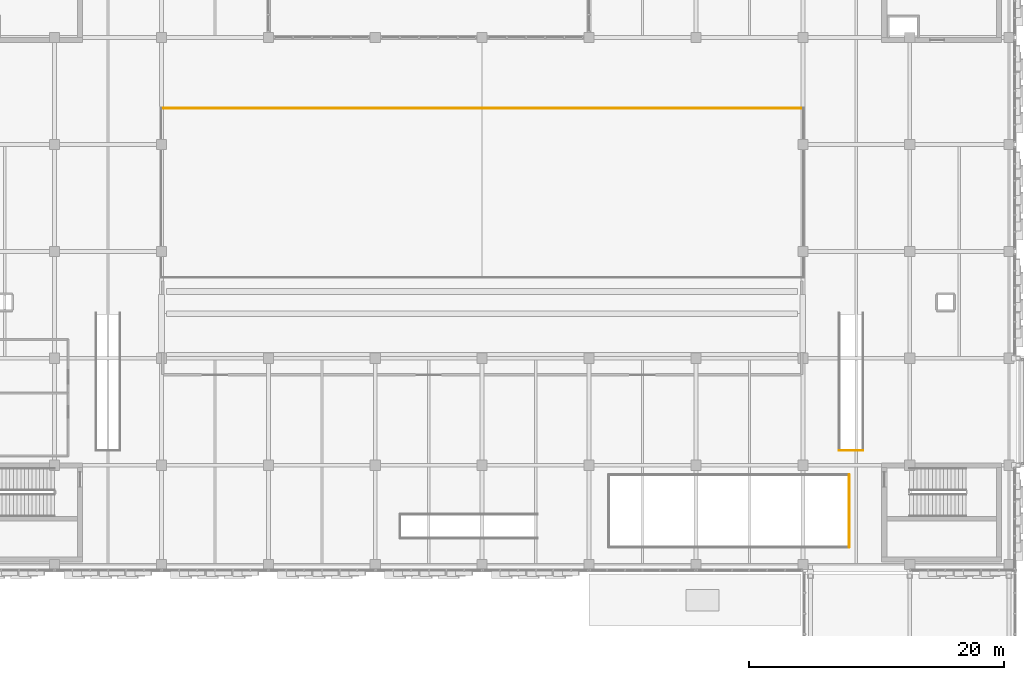
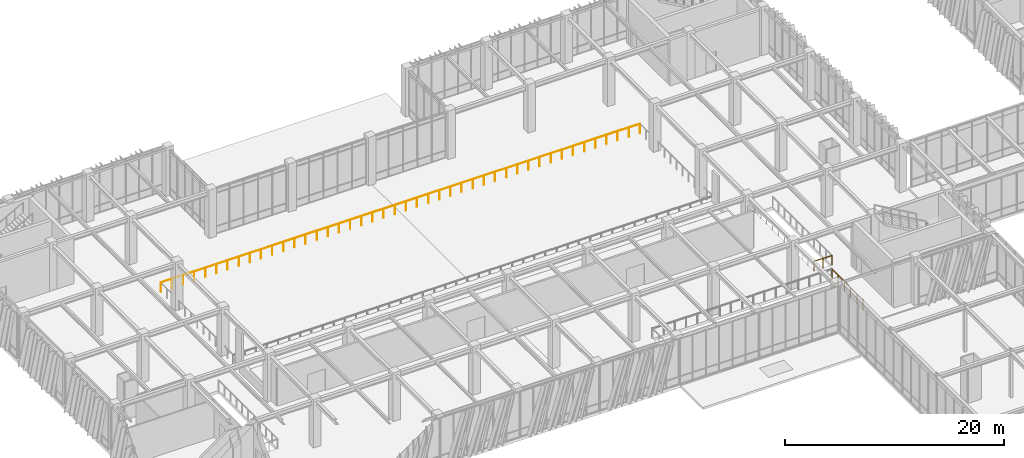
# One storey, part 131 of 139: 3 railings.
"""IFC4 building model written with IfcOpenShell, lengths in metres."""

from ifc_helpers import new_model, si_unit, direction, frame, origin, origin_2d, place, context, subcontext, project, spatial, circle, extrude, material, type_object, element, save


model = new_model("IFC4")

# Units and contexts
model_context = context("Model", 3, precision=1e-05, world=origin(), true_north=direction((0.0, 1.0)))
body_context = subcontext(model_context, "Body", "Model", "MODEL_VIEW")
ifc_project = project(units=[si_unit("LENGTHUNIT", "METRE"), si_unit("AREAUNIT", "SQUARE_METRE"), si_unit("VOLUMEUNIT", "CUBIC_METRE"), si_unit("PLANEANGLEUNIT", "RADIAN"), si_unit("MASSUNIT", "GRAM", prefix="KILO")], contexts=[model_context])

# Site, building, storey
site_placement = place(None, origin())
site = spatial("IfcSite", under=ifc_project, at=site_placement, CompositionType="ELEMENT")
building_placement = place(site_placement, origin())
building = spatial("IfcBuilding", under=site, at=building_placement, Name="Zayran Congress Hotel", CompositionType="ELEMENT")
storey_placement = place(building_placement, frame((0.0, 0.0, 5.39990234375)))
storey = spatial("IfcBuildingStorey", under=building, at=storey_placement, Name="L01", CompositionType="ELEMENT", Elevation=5.39990234375)

# Railings
ifc_material = material(Name="Painted steel balustrade", Category="steel")
railing_type = type_object("IfcRailingType", Name="TP-GRD-INT", PredefinedType="GUARDRAIL", material=ifc_material)
railing_1_placement = place(storey_placement, frame((78.4599609375, 77.14990234375, 0.0)))
element("IfcRailing", 1, at=railing_1_placement, inside=storey, type_object=railing_type, Name="GRD-VOMWELL-02-WB", PredefinedType="GUARDRAIL", context=body_context, shape_type="SweptSolid", body=[
    extrude(circle(Radius=0.02392578125, at=origin_2d()), frame((0.0, 0.0, 1.076171875), z_axis=(1.0, 0.0, 0.0), x_axis=(0.0, 1.0, 0.0)), (0.0, 0.0, 1.0), 1.880126953125),
    extrude(circle(Radius=0.02099609375, at=origin_2d()), origin(), (0.0, 0.0, 1.0), 1.052001953125),
    extrude(circle(Radius=0.02099609375, at=origin_2d()), frame((0.93994140625, 0.0, 0.0)), (0.0, 0.0, 1.0), 1.052001953125),
    extrude(circle(Radius=0.02099609375, at=origin_2d()), frame((1.880126953125, 0.0, 0.0)), (0.0, 0.0, 1.0), 1.052001953125),
])
railing_2_placement = place(storey_placement, frame((75.64990234375, 104.050048828125, 0.0)))
element("IfcRailing", 2, at=railing_2_placement, inside=storey, type_object=railing_type, Name="V1 L01 Interior Void Guardrail V1-L01-AUD-N", PredefinedType="GUARDRAIL", context=body_context, shape_type="SweptSolid", body=[
    extrude(circle(Radius=0.02392578125, at=origin_2d()), frame((0.0, 0.0, 1.076171875), z_axis=(-1.0, 0.0, 0.0), x_axis=(0.0, -1.0, 0.0)), (0.0, 0.0, 1.0), 50.5),
    extrude(circle(Radius=0.02099609375, at=origin_2d()), origin(), (0.0, 0.0, 1.0), 1.052001953125),
    extrude(circle(Radius=0.02099609375, at=origin_2d()), frame((-1.17431640625, 0.0, 0.0)), (0.0, 0.0, 1.0), 1.052001953125),
    extrude(circle(Radius=0.02099609375, at=origin_2d()), frame((-2.348876953125, 0.0, 0.0)), (0.0, 0.0, 1.0), 1.052001953125),
    extrude(circle(Radius=0.02099609375, at=origin_2d()), frame((-3.523193359375, 0.0, 0.0)), (0.0, 0.0, 1.0), 1.052001953125),
    extrude(circle(Radius=0.02099609375, at=origin_2d()), frame((-4.69775390625, 0.0, 0.0)), (0.0, 0.0, 1.0), 1.052001953125),
    extrude(circle(Radius=0.02099609375, at=origin_2d()), frame((-5.8720703125, 0.0, 0.0)), (0.0, 0.0, 1.0), 1.052001953125),
    extrude(circle(Radius=0.02099609375, at=origin_2d()), frame((-7.046630859375, 0.0, 0.0)), (0.0, 0.0, 1.0), 1.052001953125),
    extrude(circle(Radius=0.02099609375, at=origin_2d()), frame((-8.220947265625, 0.0, 0.0)), (0.0, 0.0, 1.0), 1.052001953125),
    extrude(circle(Radius=0.02099609375, at=origin_2d()), frame((-9.395263671875, 0.0, 0.0)), (0.0, 0.0, 1.0), 1.052001953125),
    extrude(circle(Radius=0.02099609375, at=origin_2d()), frame((-10.56982421875, 0.0, 0.0)), (0.0, 0.0, 1.0), 1.052001953125),
    extrude(circle(Radius=0.02099609375, at=origin_2d()), frame((-11.744140625, 0.0, 0.0)), (0.0, 0.0, 1.0), 1.052001953125),
    extrude(circle(Radius=0.02099609375, at=origin_2d()), frame((-12.918701171875, 0.0, 0.0)), (0.0, 0.0, 1.0), 1.052001953125),
    extrude(circle(Radius=0.02099609375, at=origin_2d()), frame((-14.093017578125, 0.0, 0.0)), (0.0, 0.0, 1.0), 1.052001953125),
    extrude(circle(Radius=0.02099609375, at=origin_2d()), frame((-15.267333984375, 0.0, 0.0)), (0.0, 0.0, 1.0), 1.052001953125),
    extrude(circle(Radius=0.02099609375, at=origin_2d()), frame((-16.44189453125, 0.0, 0.0)), (0.0, 0.0, 1.0), 1.052001953125),
    extrude(circle(Radius=0.02099609375, at=origin_2d()), frame((-17.6162109375, 0.0, 0.0)), (0.0, 0.0, 1.0), 1.052001953125),
    extrude(circle(Radius=0.02099609375, at=origin_2d()), frame((-18.790771484375, 0.0, 0.0)), (0.0, 0.0, 1.0), 1.052001953125),
    extrude(circle(Radius=0.02099609375, at=origin_2d()), frame((-19.965087890625, 0.0, 0.0)), (0.0, 0.0, 1.0), 1.052001953125),
    extrude(circle(Radius=0.02099609375, at=origin_2d()), frame((-21.1396484375, 0.0, 0.0)), (0.0, 0.0, 1.0), 1.052001953125),
    extrude(circle(Radius=0.02099609375, at=origin_2d()), frame((-22.31396484375, 0.0, 0.0)), (0.0, 0.0, 1.0), 1.052001953125),
    extrude(circle(Radius=0.02099609375, at=origin_2d()), frame((-23.48828125, 0.0, 0.0)), (0.0, 0.0, 1.0), 1.052001953125),
    extrude(circle(Radius=0.02099609375, at=origin_2d()), frame((-24.662841796875, 0.0, 0.0)), (0.0, 0.0, 1.0), 1.052001953125),
    extrude(circle(Radius=0.02099609375, at=origin_2d()), frame((-25.837158203125, 0.0, 0.0)), (0.0, 0.0, 1.0), 1.052001953125),
    extrude(circle(Radius=0.02099609375, at=origin_2d()), frame((-27.01171875, 0.0, 0.0)), (0.0, 0.0, 1.0), 1.052001953125),
    extrude(circle(Radius=0.02099609375, at=origin_2d()), frame((-28.18603515625, 0.0, 0.0)), (0.0, 0.0, 1.0), 1.052001953125),
    extrude(circle(Radius=0.02099609375, at=origin_2d()), frame((-29.3603515625, 0.0, 0.0)), (0.0, 0.0, 1.0), 1.052001953125),
    extrude(circle(Radius=0.02099609375, at=origin_2d()), frame((-30.534912109375, 0.0, 0.0)), (0.0, 0.0, 1.0), 1.052001953125),
    extrude(circle(Radius=0.02099609375, at=origin_2d()), frame((-31.709228515625, 0.0, 0.0)), (0.0, 0.0, 1.0), 1.052001953125),
    extrude(circle(Radius=0.02099609375, at=origin_2d()), frame((-32.8837890625, 0.0, 0.0)), (0.0, 0.0, 1.0), 1.052001953125),
    extrude(circle(Radius=0.02099609375, at=origin_2d()), frame((-34.05810546875, 0.0, 0.0)), (0.0, 0.0, 1.0), 1.052001953125),
    extrude(circle(Radius=0.02099609375, at=origin_2d()), frame((-35.232666015625, 0.0, 0.0)), (0.0, 0.0, 1.0), 1.052001953125),
    extrude(circle(Radius=0.02099609375, at=origin_2d()), frame((-36.406982421875, 0.0, 0.0)), (0.0, 0.0, 1.0), 1.052001953125),
    extrude(circle(Radius=0.02099609375, at=origin_2d()), frame((-37.581298828125, 0.0, 0.0)), (0.0, 0.0, 1.0), 1.052001953125),
    extrude(circle(Radius=0.02099609375, at=origin_2d()), frame((-38.755859375, 0.0, 0.0)), (0.0, 0.0, 1.0), 1.052001953125),
    extrude(circle(Radius=0.02099609375, at=origin_2d()), frame((-39.93017578125, 0.0, 0.0)), (0.0, 0.0, 1.0), 1.052001953125),
    extrude(circle(Radius=0.02099609375, at=origin_2d()), frame((-41.104736328125, 0.0, 0.0)), (0.0, 0.0, 1.0), 1.052001953125),
    extrude(circle(Radius=0.02099609375, at=origin_2d()), frame((-42.279052734375, 0.0, 0.0)), (0.0, 0.0, 1.0), 1.052001953125),
    extrude(circle(Radius=0.02099609375, at=origin_2d()), frame((-43.453369140625, 0.0, 0.0)), (0.0, 0.0, 1.0), 1.052001953125),
    extrude(circle(Radius=0.02099609375, at=origin_2d()), frame((-44.6279296875, 0.0, 0.0)), (0.0, 0.0, 1.0), 1.052001953125),
    extrude(circle(Radius=0.02099609375, at=origin_2d()), frame((-45.80224609375, 0.0, 0.0)), (0.0, 0.0, 1.0), 1.052001953125),
    extrude(circle(Radius=0.02099609375, at=origin_2d()), frame((-46.976806640625, 0.0, 0.0)), (0.0, 0.0, 1.0), 1.052001953125),
    extrude(circle(Radius=0.02099609375, at=origin_2d()), frame((-48.151123046875, 0.0, 0.0)), (0.0, 0.0, 1.0), 1.052001953125),
    extrude(circle(Radius=0.02099609375, at=origin_2d()), frame((-49.32568359375, 0.0, 0.0)), (0.0, 0.0, 1.0), 1.052001953125),
    extrude(circle(Radius=0.02099609375, at=origin_2d()), frame((-50.5, 0.0, 0.0)), (0.0, 0.0, 1.0), 1.052001953125),
])
railing_3_placement = place(storey_placement, frame((79.25, 69.550048828125, 0.0)))
element("IfcRailing", 3, at=railing_3_placement, inside=storey, type_object=railing_type, Name="V1 L01 Interior Void Guardrail V1-L01-FOY-E", PredefinedType="GUARDRAIL", context=body_context, shape_type="SweptSolid", body=[
    extrude(circle(Radius=0.02392578125, at=origin_2d()), frame((0.0, 0.0, 1.076171875), z_axis=(0.0, 1.0, 0.0), x_axis=(-1.0, 0.0, 0.0)), (0.0, 0.0, 1.0), 5.699951171875),
    extrude(circle(Radius=0.02099609375, at=origin_2d()), origin(), (0.0, 0.0, 1.0), 1.052001953125),
    extrude(circle(Radius=0.02099609375, at=origin_2d()), frame((0.0, 1.139892578125, 0.0)), (0.0, 0.0, 1.0), 1.052001953125),
    extrude(circle(Radius=0.02099609375, at=origin_2d()), frame((0.0, 2.280029296875, 0.0)), (0.0, 0.0, 1.0), 1.052001953125),
    extrude(circle(Radius=0.02099609375, at=origin_2d()), frame((0.0, 3.419921875, 0.0)), (0.0, 0.0, 1.0), 1.052001953125),
    extrude(circle(Radius=0.02099609375, at=origin_2d()), frame((0.0, 4.56005859375, 0.0)), (0.0, 0.0, 1.0), 1.052001953125),
    extrude(circle(Radius=0.02099609375, at=origin_2d()), frame((0.0, 5.699951171875, 0.0)), (0.0, 0.0, 1.0), 1.052001953125),
])

save(model, "model.ifc")
